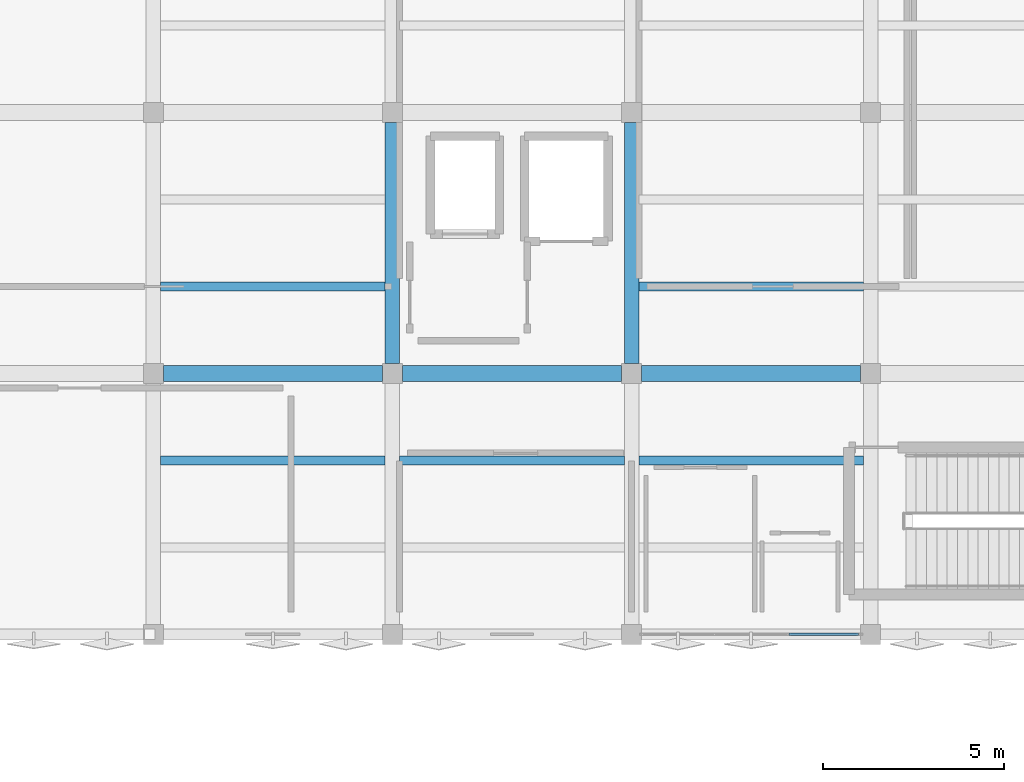
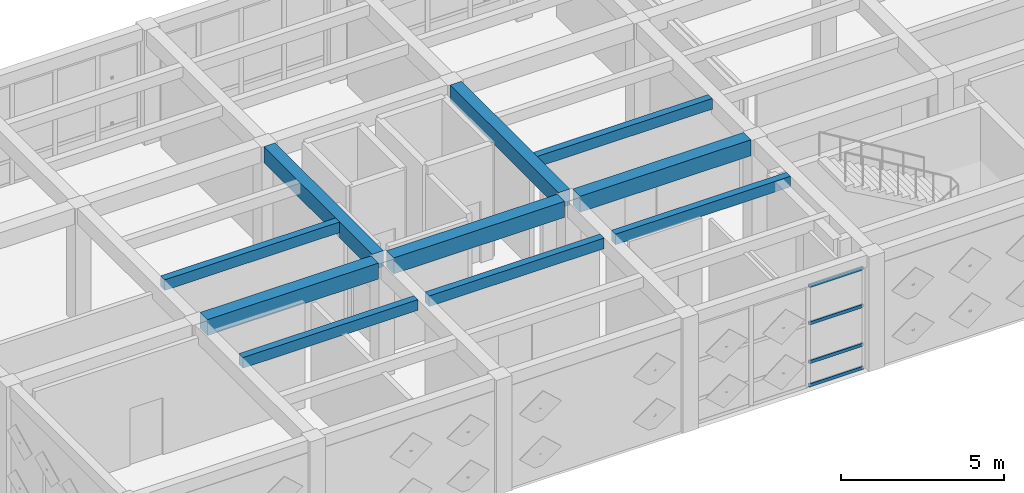
# One storey, part 13 of 36: 10 beams, 4 members, 1 element without a shape of its own.
"""IFC4 building model written with IfcOpenShell, lengths in metres."""

from ifc_helpers import new_model, si_unit, direction, frame, origin, origin_2d, place, context, subcontext, project, spatial, rectangle, hollow_rectangle, extrude, material, layer, layer_set, material_profile, profile_set, type_object, element, aggregate, save


model = new_model("IFC4")

# Units and contexts
model_context = context("Model", 3, precision=1e-05, world=origin(), true_north=direction((0.0, 1.0)))
body_context = subcontext(model_context, "Body", "Model", "MODEL_VIEW")
ifc_project = project(units=[si_unit("LENGTHUNIT", "METRE"), si_unit("AREAUNIT", "SQUARE_METRE"), si_unit("VOLUMEUNIT", "CUBIC_METRE"), si_unit("PLANEANGLEUNIT", "RADIAN"), si_unit("MASSUNIT", "GRAM", prefix="KILO")], contexts=[model_context])

# Site, building, storey
site_placement = place(None, origin())
site = spatial("IfcSite", under=ifc_project, at=site_placement, CompositionType="ELEMENT")
building_placement = place(site_placement, origin())
building = spatial("IfcBuilding", under=site, at=building_placement, Name="Kharisveld Research Institute", CompositionType="ELEMENT")
storey_placement = place(building_placement, frame((0.0, 0.0, 27.60009765625)))
storey = spatial("IfcBuildingStorey", under=building, at=storey_placement, Name="L06", CompositionType="ELEMENT", Elevation=27.60009765625)

# Beams
ifc_material_1 = material(Name="Concrete C40/50", Category="concrete")
ifc_material_profile_1 = material_profile(ifc_material_1, rectangle(XDim=0.39990234375, YDim=0.60009765625, at=origin_2d()))
ifc_profile_set_1 = profile_set([ifc_material_profile_1], Name="Concrete C40/50")
beam_type_1 = type_object("IfcBeamType", Name="BM_RC_400x600", PredefinedType="BEAM", material=ifc_profile_set_1)
for number, where, z_axis, x_axis, name in (
    (1, (134.39990234375, 46.675048828125, 4.0), (0.0, 1.0, 0.0), (-1.0, 0.0, 0.0), "BM:V2:L06:V3_1"),
    (2, (141.0, 46.675048828125, 4.0), (0.0, 1.0, 0.0), (-1.0, 0.0, 0.0), "BM:V2:L06:V4_1"),
):
    element("IfcBeam", number, at=place(storey_placement, frame(where, z_axis=z_axis, x_axis=x_axis)), inside=storey, type_object=beam_type_1, Name=name, PredefinedType="BEAM", context=body_context, shape_type="SweptSolid", body=[
        extrude(rectangle(XDim=0.39990234375, YDim=0.60009765625, at=origin_2d()), origin(), (0.0, 0.0, 1.0), 6.64990234375),
    ])
ifc_material_2 = material(Name="Concrete C40/50", Category="concrete")
ifc_material_profile_2 = material_profile(ifc_material_2, rectangle(XDim=0.449951171875, YDim=0.60009765625, at=origin_2d()))
ifc_profile_set_2 = profile_set([ifc_material_profile_2], Name="Concrete C40/50")
beam_type_2 = type_object("IfcBeamType", Name="BM_RC_450x600", PredefinedType="BEAM", material=ifc_profile_set_2)
for number, where, z_axis, x_axis, name in (
    (3, (128.074951171875, 46.39990234375, 4.0), (1.0, 0.0, 0.0), (0.0, 1.0, 0.0), "BM:V2:L06:U2_1"),
    (4, (134.675048828125, 46.39990234375, 4.0), (1.0, 0.0, 0.0), (0.0, 1.0, 0.0), "BM:V2:L06:U3_1"),
    (5, (141.27490234375, 46.39990234375, 4.0), (1.0, 0.0, 0.0), (0.0, 1.0, 0.0), "BM:V2:L06:U4_1"),
):
    element("IfcBeam", number, at=place(storey_placement, frame(where, z_axis=z_axis, x_axis=x_axis)), inside=storey, type_object=beam_type_2, Name=name, PredefinedType="BEAM", context=body_context, shape_type="SweptSolid", body=[
        extrude(rectangle(XDim=0.449951171875, YDim=0.60009765625, at=origin_2d()), origin(), (0.0, 0.0, 1.0), 6.050048828125),
    ])

# Curtain wall, members
ifc_material_3 = material(Name="Thermally Broken Aluminium Curtain Wall", Category="aluminium")
ifc_layer = layer(ifc_material_3, 0.159912109375)
ifc_layer_set = layer_set([ifc_layer], Name="CW_SYS_06")
curtain_wall_type = type_object("IfcCurtainWallType", Name="CW_SYS_06", PredefinedType="NOTDEFINED", material=ifc_layer_set)
curtain_wall_placement = place(storey_placement, origin())
curtain_wall = element("IfcCurtainWall", 6, at=curtain_wall_placement, inside=storey, type_object=curtain_wall_type, Name="CW:V2:L06:S5", PredefinedType="NOTDEFINED")
ifc_material_4 = material(Name="Anodised Aluminium AW-6063-T6", Category="aluminium")
ifc_material_profile_3 = material_profile(ifc_material_4, hollow_rectangle(XDim=0.06005859375, YDim=0.1201171875, WallThickness=0.00390625, at=origin_2d()))
ifc_profile_set_3 = profile_set([ifc_material_profile_3], Name="Anodised Aluminium AW-6063-T6")
member_type = type_object("IfcMemberType", Name="CW_TRN_120", PredefinedType="USERDEFINED", material=ifc_profile_set_3)
member_1_placement = place(storey_placement, frame((147.264892578125, 39.199951171875, 0.02978515625), z_axis=(-1.0, 0.0, 0.0), x_axis=(0.0, -1.0, 0.0)))
member_1 = element("IfcMember", 7, at=member_1_placement, type_object=member_type, Name="CW-06 transom 1.1", ObjectType="TRANSOM", PredefinedType="USERDEFINED", context=body_context, shape_type="SweptSolid", body=[
    extrude(hollow_rectangle(XDim=0.06005859375, YDim=0.1201171875, WallThickness=0.00390625, at=origin_2d()), origin(), (0.0, 0.0, 1.0), 1.92236328125),
])
member_2_placement = place(storey_placement, frame((147.264892578125, 39.199951171875, 0.89990234375), z_axis=(-1.0, 0.0, 0.0), x_axis=(0.0, -1.0, 0.0)))
member_2 = element("IfcMember", 8, at=member_2_placement, type_object=member_type, Name="CW-06 transom 1.2", ObjectType="TRANSOM", PredefinedType="USERDEFINED", context=body_context, shape_type="SweptSolid", body=[
    extrude(hollow_rectangle(XDim=0.06005859375, YDim=0.1201171875, WallThickness=0.00390625, at=origin_2d()), origin(), (0.0, 0.0, 1.0), 1.92236328125),
])
member_3_placement = place(storey_placement, frame((147.264892578125, 39.199951171875, 2.349853515625), z_axis=(-1.0, 0.0, 0.0), x_axis=(0.0, -1.0, 0.0)))
member_3 = element("IfcMember", 9, at=member_3_placement, type_object=member_type, Name="CW-06 transom 1.3", ObjectType="TRANSOM", PredefinedType="USERDEFINED", context=body_context, shape_type="SweptSolid", body=[
    extrude(hollow_rectangle(XDim=0.06005859375, YDim=0.1201171875, WallThickness=0.00390625, at=origin_2d()), origin(), (0.0, 0.0, 1.0), 1.92236328125),
])
member_4_placement = place(storey_placement, frame((147.264892578125, 39.199951171875, 3.75), z_axis=(-1.0, 0.0, 0.0), x_axis=(0.0, -1.0, 0.0)))
member_4 = element("IfcMember", 10, at=member_4_placement, type_object=member_type, Name="CW-06 transom 1.4", ObjectType="TRANSOM", PredefinedType="USERDEFINED", context=body_context, shape_type="SweptSolid", body=[
    extrude(hollow_rectangle(XDim=0.06005859375, YDim=0.1201171875, WallThickness=0.00390625, at=origin_2d()), origin(), (0.0, 0.0, 1.0), 1.92236328125),
])
aggregate(curtain_wall, [member_1, member_2, member_3, member_4])

# Beams
ifc_material_5 = material(Name="Concrete C40/50", Category="concrete")
ifc_material_profile_4 = material_profile(ifc_material_5, rectangle(XDim=0.25, YDim=0.39990234375, at=origin_2d()))
ifc_profile_set_4 = profile_set([ifc_material_profile_4], Name="Concrete C40/50")
beam_type_3 = type_object("IfcBeamType", Name="WB_RC_250x400", PredefinedType="JOIST", material=ifc_profile_set_4)
for number, where, z_axis, x_axis, name in (
    (11, (128.0, 44.0, 4.099853515625), (1.0, 0.0, 0.0), (0.0, 1.0, 0.0), "BM:V2:L06:J_2_0_R2"),
    (12, (128.0, 48.800048828125, 4.099853515625), (1.0, 0.0, 0.0), (0.0, 1.0, 0.0), "BM:V2:L06:J_2_1_R1"),
    (13, (134.60009765625, 44.0, 4.099853515625), (1.0, 0.0, 0.0), (0.0, 1.0, 0.0), "BM:V2:L06:J_3_0_R2"),
    (14, (141.199951171875, 44.0, 4.099853515625), (1.0, 0.0, 0.0), (0.0, 1.0, 0.0), "BM:V2:L06:J_4_0_R2"),
    (15, (141.199951171875, 48.800048828125, 4.099853515625), (1.0, 0.0, 0.0), (0.0, 1.0, 0.0), "BM:V2:L06:J_4_1_R1"),
):
    element("IfcBeam", number, at=place(storey_placement, frame(where, z_axis=z_axis, x_axis=x_axis)), inside=storey, type_object=beam_type_3, Name=name, PredefinedType="JOIST", context=body_context, shape_type="SweptSolid", body=[
        extrude(rectangle(XDim=0.25, YDim=0.39990234375, at=origin_2d()), origin(), (0.0, 0.0, 1.0), 6.199951171875),
    ])

save(model, "model.ifc")
